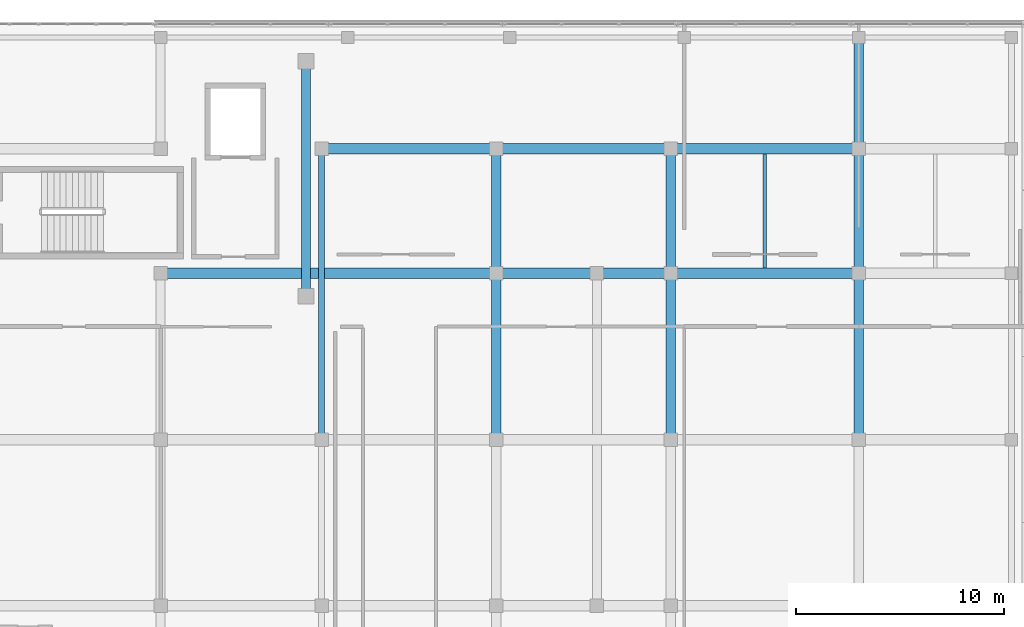
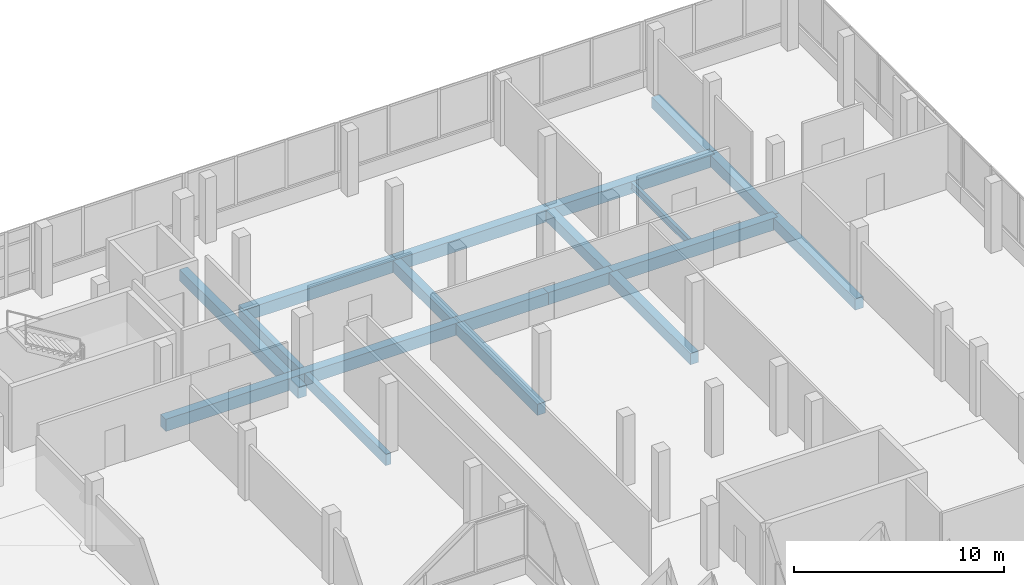
# One storey, part 52 of 78: 17 beams.
"""IFC4 building model written with IfcOpenShell, lengths in metres."""

from ifc_helpers import new_model, si_unit, direction, frame, origin, origin_2d, place, context, subcontext, project, spatial, rectangle, i_section, extrude, material, material_profile, profile_set, type_object, element, save


model = new_model("IFC4")

# Units and contexts
model_context = context("Model", 3, precision=1e-05, world=origin(), true_north=direction((0.0, 1.0)))
body_context = subcontext(model_context, "Body", "Model", "MODEL_VIEW")
ifc_project = project(units=[si_unit("LENGTHUNIT", "METRE"), si_unit("AREAUNIT", "SQUARE_METRE"), si_unit("VOLUMEUNIT", "CUBIC_METRE"), si_unit("PLANEANGLEUNIT", "RADIAN"), si_unit("MASSUNIT", "GRAM", prefix="KILO")], contexts=[model_context])

# Site, building, storey
site_placement = place(None, origin())
site = spatial("IfcSite", under=ifc_project, at=site_placement, CompositionType="ELEMENT")
building_placement = place(site_placement, origin())
building = spatial("IfcBuilding", under=site, at=building_placement, Name="Selatvlak General Hospital", CompositionType="ELEMENT")
storey_placement = place(building_placement, frame((0.0, 0.0, 23.25)))
storey = spatial("IfcBuildingStorey", under=building, at=storey_placement, Name="L05", CompositionType="ELEMENT", Elevation=23.25)

# Beams
ifc_material_1 = material(Name="Concrete C40/50", Category="concrete")
ifc_material_profile_1 = material_profile(ifc_material_1, rectangle(XDim=0.5, YDim=0.699951171875, at=origin_2d()), Name="RC-BM 500x700")
ifc_profile_set_1 = profile_set([ifc_material_profile_1], Name="Concrete C40/50")
beam_type_1 = type_object("IfcBeamType", Name="BM-G03", PredefinedType="BEAM", material=ifc_profile_set_1)
beam_1_placement = place(storey_placement, frame((140.39990234375, 108.0, -0.6298828125), z_axis=(1.0, 0.0, 0.0), x_axis=(0.0, 1.0, 0.0)))
element("IfcBeam", 1, at=beam_1_placement, inside=storey, type_object=beam_type_1, Name="Beam BMR-L05-1955", PredefinedType="BEAM", context=body_context, shape_type="SweptSolid", body=[
    extrude(rectangle(XDim=0.5, YDim=0.699951171875, at=origin_2d()), origin(), (0.0, 0.0, 1.0), 16.150146484375),
])
beam_2_placement = place(storey_placement, frame((156.550048828125, 108.0, -0.6298828125), z_axis=(1.0, 0.0, 0.0), x_axis=(0.0, 1.0, 0.0)))
element("IfcBeam", 2, at=beam_2_placement, inside=storey, type_object=beam_type_1, Name="Beam BMR-L05-1956", PredefinedType="BEAM", context=body_context, shape_type="SweptSolid", body=[
    extrude(rectangle(XDim=0.5, YDim=0.699951171875, at=origin_2d()), origin(), (0.0, 0.0, 1.0), 4.849853515625),
])
beam_3_placement = place(storey_placement, frame((161.39990234375, 108.0, -0.6298828125), z_axis=(1.0, 0.0, 0.0), x_axis=(0.0, 1.0, 0.0)))
element("IfcBeam", 3, at=beam_3_placement, inside=storey, type_object=beam_type_1, Name="Beam BMR-L05-1957", PredefinedType="BEAM", context=body_context, shape_type="SweptSolid", body=[
    extrude(rectangle(XDim=0.5, YDim=0.699951171875, at=origin_2d()), origin(), (0.0, 0.0, 1.0), 3.550048828125),
])
beam_4_placement = place(storey_placement, frame((164.949951171875, 108.0, -0.6298828125), z_axis=(1.0, 0.0, 0.0), x_axis=(0.0, 1.0, 0.0)))
element("IfcBeam", 4, at=beam_4_placement, inside=storey, type_object=beam_type_1, Name="Beam BMR-L05-1958", PredefinedType="BEAM", context=body_context, shape_type="SweptSolid", body=[
    extrude(rectangle(XDim=0.5, YDim=0.699951171875, at=origin_2d()), origin(), (0.0, 0.0, 1.0), 9.050048828125),
])
beam_5_placement = place(storey_placement, frame((148.14990234375, 114.0, -0.6298828125), z_axis=(1.0, 0.0, 0.0), x_axis=(0.0, 1.0, 0.0)))
element("IfcBeam", 5, at=beam_5_placement, inside=storey, type_object=beam_type_1, Name="Beam BMR-L05-1969", PredefinedType="BEAM", context=body_context, shape_type="SweptSolid", body=[
    extrude(rectangle(XDim=0.5, YDim=0.699951171875, at=origin_2d()), origin(), (0.0, 0.0, 1.0), 8.400146484375),
])
beam_6_placement = place(storey_placement, frame((156.550048828125, 114.0, -0.6298828125), z_axis=(1.0, 0.0, 0.0), x_axis=(0.0, 1.0, 0.0)))
element("IfcBeam", 6, at=beam_6_placement, inside=storey, type_object=beam_type_1, Name="Beam BMR-L05-1970", PredefinedType="BEAM", context=body_context, shape_type="SweptSolid", body=[
    extrude(rectangle(XDim=0.5, YDim=0.699951171875, at=origin_2d()), origin(), (0.0, 0.0, 1.0), 8.39990234375),
])
beam_7_placement = place(storey_placement, frame((164.949951171875, 114.0, -0.6298828125), z_axis=(1.0, 0.0, 0.0), x_axis=(0.0, 1.0, 0.0)))
element("IfcBeam", 7, at=beam_7_placement, inside=storey, type_object=beam_type_1, Name="Beam BMR-L05-1971", PredefinedType="BEAM", context=body_context, shape_type="SweptSolid", body=[
    extrude(rectangle(XDim=0.5, YDim=0.699951171875, at=origin_2d()), origin(), (0.0, 0.0, 1.0), 9.050048828125),
])
ifc_material_profile_2 = material_profile(ifc_material_1, rectangle(XDim=0.449951171875, YDim=0.64990234375, at=origin_2d()), Name="RC-BM 450x650")
ifc_profile_set_2 = profile_set([ifc_material_profile_2], Name="Concrete C40/50")
beam_type_2 = type_object("IfcBeamType", Name="BM-G04", PredefinedType="BEAM", material=ifc_profile_set_2)
beam_8_placement = place(storey_placement, frame((147.39990234375, 106.89990234375, -0.60498046875), z_axis=(0.0, 1.0, 0.0), x_axis=(-1.0, 0.0, 0.0)))
element("IfcBeam", 8, at=beam_8_placement, inside=storey, type_object=beam_type_2, Name="Beam BMR-L05-2070", PredefinedType="BEAM", context=body_context, shape_type="SweptSolid", body=[
    extrude(rectangle(XDim=0.449951171875, YDim=0.64990234375, at=origin_2d()), origin(), (0.0, 0.0, 1.0), 11.300048828125),
])
beam_9_placement = place(storey_placement, frame((156.550048828125, 100.0, -0.60498046875), z_axis=(0.0, 1.0, 0.0), x_axis=(-1.0, 0.0, 0.0)))
element("IfcBeam", 9, at=beam_9_placement, inside=storey, type_object=beam_type_2, Name="Beam BMR-L05-2085", PredefinedType="BEAM", context=body_context, shape_type="SweptSolid", body=[
    extrude(rectangle(XDim=0.449951171875, YDim=0.64990234375, at=origin_2d()), origin(), (0.0, 0.0, 1.0), 8.0),
])
beam_10_placement = place(storey_placement, frame((156.550048828125, 108.0, -0.60498046875), z_axis=(0.0, 1.0, 0.0), x_axis=(-1.0, 0.0, 0.0)))
element("IfcBeam", 10, at=beam_10_placement, inside=storey, type_object=beam_type_2, Name="Beam BMR-L05-2086", PredefinedType="BEAM", context=body_context, shape_type="SweptSolid", body=[
    extrude(rectangle(XDim=0.449951171875, YDim=0.64990234375, at=origin_2d()), origin(), (0.0, 0.0, 1.0), 6.0),
])
beam_11_placement = place(storey_placement, frame((164.949951171875, 100.0, -0.60498046875), z_axis=(0.0, 1.0, 0.0), x_axis=(-1.0, 0.0, 0.0)))
element("IfcBeam", 11, at=beam_11_placement, inside=storey, type_object=beam_type_2, Name="Beam BMR-L05-2093", PredefinedType="BEAM", context=body_context, shape_type="SweptSolid", body=[
    extrude(rectangle(XDim=0.449951171875, YDim=0.64990234375, at=origin_2d()), origin(), (0.0, 0.0, 1.0), 8.0),
])
beam_12_placement = place(storey_placement, frame((164.949951171875, 108.0, -0.60498046875), z_axis=(0.0, 1.0, 0.0), x_axis=(-1.0, 0.0, 0.0)))
element("IfcBeam", 12, at=beam_12_placement, inside=storey, type_object=beam_type_2, Name="Beam BMR-L05-2094", PredefinedType="BEAM", context=body_context, shape_type="SweptSolid", body=[
    extrude(rectangle(XDim=0.449951171875, YDim=0.64990234375, at=origin_2d()), origin(), (0.0, 0.0, 1.0), 6.0),
])
beam_13_placement = place(storey_placement, frame((174.0, 100.0, -0.60498046875), z_axis=(0.0, 1.0, 0.0), x_axis=(-1.0, 0.0, 0.0)))
element("IfcBeam", 13, at=beam_13_placement, inside=storey, type_object=beam_type_2, Name="Beam BMR-L05-2102", PredefinedType="BEAM", context=body_context, shape_type="SweptSolid", body=[
    extrude(rectangle(XDim=0.449951171875, YDim=0.64990234375, at=origin_2d()), origin(), (0.0, 0.0, 1.0), 8.0),
])
beam_14_placement = place(storey_placement, frame((174.0, 108.0, -0.60498046875), z_axis=(0.0, 1.0, 0.0), x_axis=(-1.0, 0.0, 0.0)))
element("IfcBeam", 14, at=beam_14_placement, inside=storey, type_object=beam_type_2, Name="Beam BMR-L05-2103", PredefinedType="BEAM", context=body_context, shape_type="SweptSolid", body=[
    extrude(rectangle(XDim=0.449951171875, YDim=0.64990234375, at=origin_2d()), origin(), (0.0, 0.0, 1.0), 6.0),
])
beam_15_placement = place(storey_placement, frame((174.0, 114.0, -0.60498046875), z_axis=(0.0, 1.0, 0.0), x_axis=(-1.0, 0.0, 0.0)))
element("IfcBeam", 15, at=beam_15_placement, inside=storey, type_object=beam_type_2, Name="Beam BMR-L05-2104", PredefinedType="BEAM", context=body_context, shape_type="SweptSolid", body=[
    extrude(rectangle(XDim=0.449951171875, YDim=0.64990234375, at=origin_2d()), origin(), (0.0, 0.0, 1.0), 5.35009765625),
])
ifc_material_2 = material(Name="Steel S355", Category="steel")
ifc_material_profile_3 = material_profile(ifc_material_2, i_section(OverallWidth=0.177978515625, OverallDepth=0.406494140625, WebThickness=0.0078125, FlangeThickness=0.0126953125, at=origin_2d()), Name="UB 406x178x60")
ifc_profile_set_3 = profile_set([ifc_material_profile_3], Name="Steel S355")
beam_type_3 = type_object("IfcBeamType", Name="BM-J04", PredefinedType="JOIST", material=ifc_profile_set_3)
beam_16_placement = place(storey_placement, frame((169.47509765625, 108.25, -0.48291015625), z_axis=(0.0, 1.0, 0.0), x_axis=(-1.0, 0.0, 0.0)))
element("IfcBeam", 16, at=beam_16_placement, inside=storey, type_object=beam_type_3, Name="Beam BMR-L05-2130", PredefinedType="JOIST", context=body_context, shape_type="SweptSolid", body=[
    extrude(i_section(OverallWidth=0.177978515625, OverallDepth=0.406494140625, WebThickness=0.0078125, FlangeThickness=0.0126953125, at=origin_2d()), origin(), (0.0, 0.0, 1.0), 5.5),
])
ifc_material_profile_4 = material_profile(ifc_material_1, rectangle(XDim=0.300048828125, YDim=0.64990234375, at=origin_2d()), Name="RC-SP 300x650")
ifc_profile_set_4 = profile_set([ifc_material_profile_4], Name="Concrete C40/50")
beam_type_4 = type_object("IfcBeamType", Name="BM-SP1", PredefinedType="SPANDREL", material=ifc_profile_set_4)
beam_17_placement = place(storey_placement, frame((148.14990234375, 100.0, -0.60498046875), z_axis=(0.0, 1.0, 0.0), x_axis=(-1.0, 0.0, 0.0)))
element("IfcBeam", 17, at=beam_17_placement, inside=storey, type_object=beam_type_4, Name="Beam BMR-L05-2077", PredefinedType="SPANDREL", context=body_context, shape_type="SweptSolid", body=[
    extrude(rectangle(XDim=0.300048828125, YDim=0.64990234375, at=origin_2d()), origin(), (0.0, 0.0, 1.0), 14.0),
])

save(model, "model.ifc")
